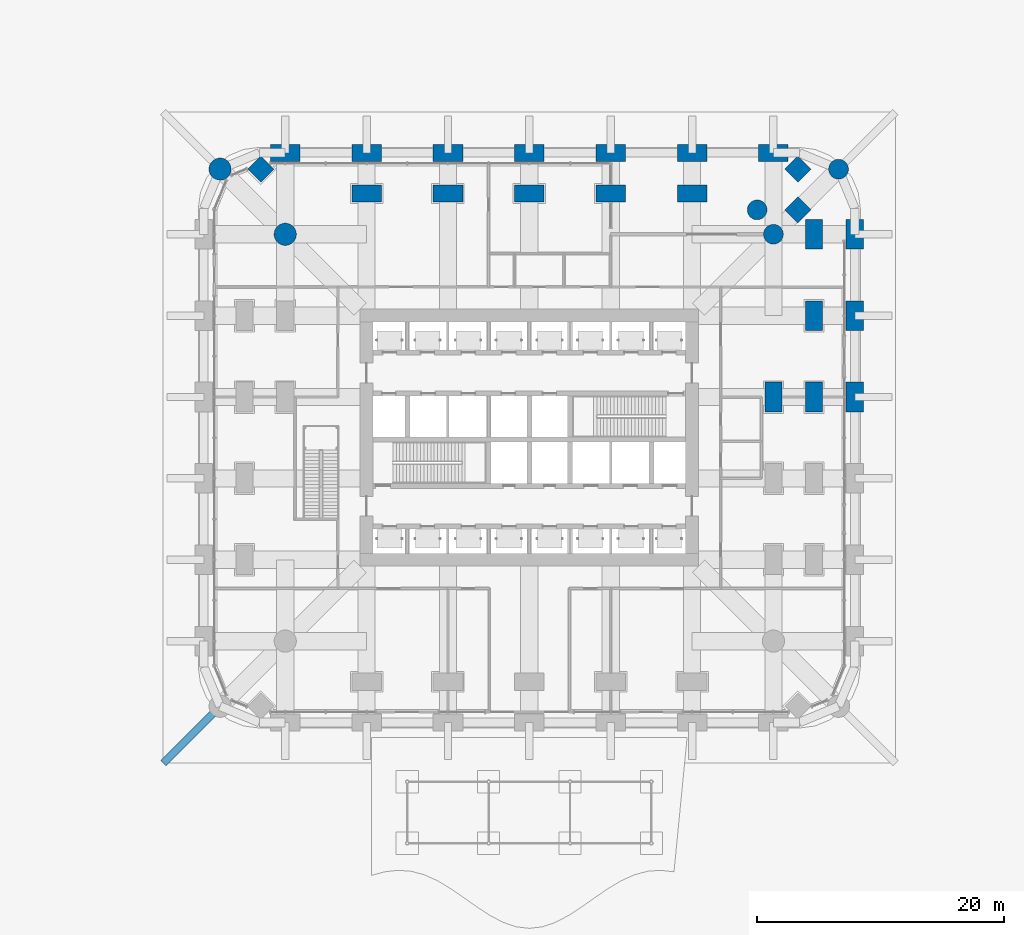
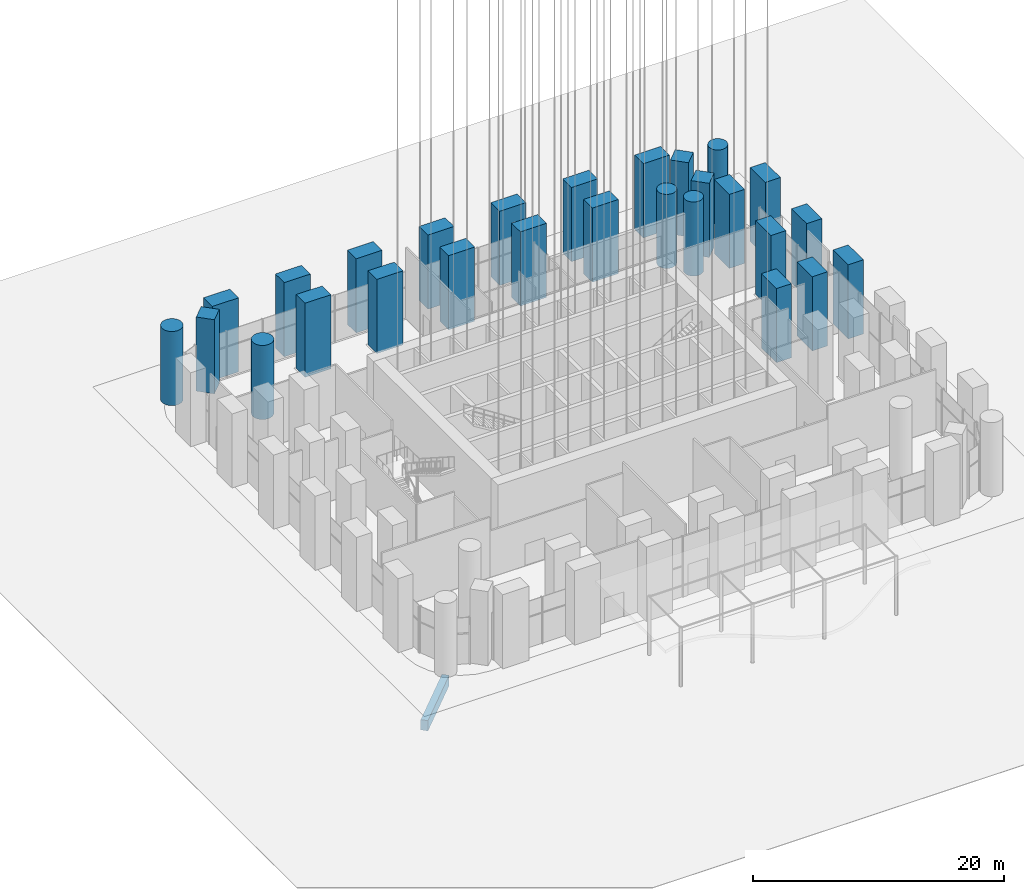
# One storey, part 7 of 32: 27 columns, 1 beam.
"""IFC4 building model written with IfcOpenShell, lengths in metres."""

from ifc_helpers import new_model, si_unit, direction, frame, origin, origin_2d, place, context, subcontext, project, spatial, rectangle, circle, extrude, material, material_profile, profile_set, type_object, element, save


model = new_model("IFC4")

# Units and contexts
model_context = context("Model", 3, precision=1e-05, world=origin(), true_north=direction((0.0, 1.0)))
body_context = subcontext(model_context, "Body", "Model", "MODEL_VIEW")
ifc_project = project(units=[si_unit("LENGTHUNIT", "METRE"), si_unit("AREAUNIT", "SQUARE_METRE"), si_unit("VOLUMEUNIT", "CUBIC_METRE"), si_unit("PLANEANGLEUNIT", "RADIAN"), si_unit("MASSUNIT", "GRAM", prefix="KILO")], contexts=[model_context])

# Site, building, storey
site_placement = place(None, origin())
site = spatial("IfcSite", under=ifc_project, at=site_placement, CompositionType="ELEMENT")
building_placement = place(site_placement, origin())
building = spatial("IfcBuilding", under=site, at=building_placement, Name="Cobogo Forest Laboratory Tower", CompositionType="ELEMENT")
storey_placement = place(building_placement, origin())
storey = spatial("IfcBuildingStorey", under=building, at=storey_placement, Name="L00", CompositionType="ELEMENT", Elevation=0.0)

# Columns
ifc_material_1 = material(Name="Concrete HA-50 (C50/60)", Category="concrete")
ifc_material_profile_1 = material_profile(ifc_material_1, rectangle(XDim=2.39990234375, YDim=1.39990234375, at=origin_2d()), Name="RC 1400x2400")
ifc_profile_set_1 = profile_set([ifc_material_profile_1], Name="Concrete HA-50 (C50/60)")
column_type_1 = type_object("IfcColumnType", Name="Blade column 1400x2400", PredefinedType="COLUMN", material=ifc_profile_set_1)
for number, where, z_axis, x_axis, name in (
    (1, (52.800048828125, 26.39990234375, 0.0), (0.0, 0.0, 1.0), (0.0, 1.0, 0.0), "Column 9-E L00"),
    (2, (52.800048828125, 33.0, 0.0), (0.0, 0.0, 1.0), (0.0, 1.0, 0.0), "Column 9-F L00"),
    (3, (52.800048828125, 39.60009765625, 0.0), (0.0, 0.0, 1.0), (0.0, 1.0, 0.0), "Column 9-G L00"),
    (4, (6.60009765625, 46.199951171875, 0.0), (0.0, 0.0, 1.0), (1.0, 0.0, 0.0), "Column 2-H L00"),
    (5, (13.199951171875, 46.199951171875, 0.0), (0.0, 0.0, 1.0), (1.0, 0.0, 0.0), "Column 3-H L00"),
    (6, (19.800048828125, 46.199951171875, 0.0), (0.0, 0.0, 1.0), (1.0, 0.0, 0.0), "Column 4-H L00"),
    (7, (26.39990234375, 46.199951171875, 0.0), (0.0, 0.0, 1.0), (1.0, 0.0, 0.0), "Column 5-H L00"),
    (8, (33.0, 46.199951171875, 0.0), (0.0, 0.0, 1.0), (1.0, 0.0, 0.0), "Column 6-H L00"),
    (9, (39.60009765625, 46.199951171875, 0.0), (0.0, 0.0, 1.0), (1.0, 0.0, 0.0), "Column 7-H L00"),
    (10, (46.199951171875, 46.199951171875, 0.0), (0.0, 0.0, 1.0), (1.0, 0.0, 0.0), "Column 8-H L00"),
    (11, (49.5, 26.39990234375, 0.0), (0.0, 0.0, 1.0), (0.0, 1.0, 0.0), "Column 8.1-E-B L00"),
    (12, (49.5, 33.0, 0.0), (0.0, 0.0, 1.0), (0.0, 1.0, 0.0), "Column 8.1-F-B L00"),
    (13, (49.5, 39.60009765625, 0.0), (0.0, 0.0, 1.0), (0.0, 1.0, 0.0), "Column 8.1-G-B L00"),
    (14, (13.199951171875, 42.89990234375, 0.0), (0.0, 0.0, 1.0), (1.0, 0.0, 0.0), "Column 3-G.1-C L00"),
    (15, (19.800048828125, 42.89990234375, 0.0), (0.0, 0.0, 1.0), (1.0, 0.0, 0.0), "Column 4-G.1-C L00"),
    (16, (26.39990234375, 42.89990234375, 0.0), (0.0, 0.0, 1.0), (1.0, 0.0, 0.0), "Column 5-G.1-C L00"),
    (17, (33.0, 42.89990234375, 0.0), (0.0, 0.0, 1.0), (1.0, 0.0, 0.0), "Column 6-G.1-C L00"),
    (18, (39.60009765625, 42.89990234375, 0.0), (0.0, 0.0, 1.0), (1.0, 0.0, 0.0), "Column 7-G.1-C L00"),
    (19, (46.199951171875, 26.39990234375, 0.0), (0.0, 0.0, 1.0), (0.0, 1.0, 0.0), "Column 8-E-D L00"),
):
    element("IfcColumn", number, at=place(storey_placement, frame(where, z_axis=z_axis, x_axis=x_axis)), inside=storey, type_object=column_type_1, Name=name, PredefinedType="COLUMN", context=body_context, shape_type="SweptSolid", body=[
        extrude(rectangle(XDim=2.39990234375, YDim=1.39990234375, at=origin_2d()), origin(), (0.0, 0.0, 1.0), 7.199951171875),
    ])
ifc_material_profile_2 = material_profile(ifc_material_1, rectangle(XDim=1.5, YDim=1.5, at=origin_2d()), Name="RC 1500x1500")
ifc_profile_set_2 = profile_set([ifc_material_profile_2], Name="Concrete HA-50 (C50/60)")
column_type_2 = type_object("IfcColumnType", Name="Column 1500x1500", PredefinedType="COLUMN", material=ifc_profile_set_2)
for number, where, z_axis, x_axis, name in (
    (20, (4.617919921875, 44.882080078125, 0.0), (0.0, 0.0, 1.0), (0.707106781187, 0.707106781187, 0.0), "Column CNR-NW-B L00"),
    (21, (48.181884765625, 44.882080078125, 0.0), (0.0, 0.0, 1.0), (0.707106781187, 0.707106781187, 0.0), "Column CNR-NE-B L00"),
    (22, (48.181884765625, 41.58203125, 0.0), (0.0, 0.0, 1.0), (0.707106781187, 0.707106781187, 0.0), "Column CNR-NE-C L00"),
):
    element("IfcColumn", number, at=place(storey_placement, frame(where, z_axis=z_axis, x_axis=x_axis)), inside=storey, type_object=column_type_2, Name=name, PredefinedType="COLUMN", context=body_context, shape_type="SweptSolid", body=[
        extrude(rectangle(XDim=1.5, YDim=1.5, at=origin_2d()), origin(), (0.0, 0.0, 1.0), 7.199951171875),
    ])
ifc_material_profile_3 = material_profile(ifc_material_1, circle(Radius=0.800048828125, at=origin_2d()), Name="RC D1600")
ifc_profile_set_3 = profile_set([ifc_material_profile_3], Name="Concrete HA-50 (C50/60)")
column_type_3 = type_object("IfcColumnType", Name="Pilotis column D1600", PredefinedType="COLUMN", material=ifc_profile_set_3)
for number, where, z_axis, x_axis, name in (
    (23, (51.48193359375, 44.882080078125, 0.0), (0.0, 0.0, 1.0), (1.0, 0.0, 0.0), "Column CNR-NE L00"),
    (24, (46.199951171875, 39.60009765625, 0.0), (0.0, 0.0, 1.0), (1.0, 0.0, 0.0), "Column 8-G L00"),
    (25, (44.882080078125, 41.58203125, 0.0), (0.0, 0.0, 1.0), (1.0, 0.0, 0.0), "Column CNR-NE-D L00"),
):
    element("IfcColumn", number, at=place(storey_placement, frame(where, z_axis=z_axis, x_axis=x_axis)), inside=storey, type_object=column_type_3, Name=name, PredefinedType="COLUMN", context=body_context, shape_type="SweptSolid", body=[
        extrude(circle(Radius=0.800048828125, at=origin_2d()), origin(), (0.0, 0.0, 1.0), 7.199951171875),
    ])
ifc_material_profile_4 = material_profile(ifc_material_1, circle(Radius=0.89990234375, at=origin_2d()), Name="RC D1800")
ifc_profile_set_4 = profile_set([ifc_material_profile_4], Name="Concrete HA-50 (C50/60)")
column_type_4 = type_object("IfcColumnType", Name="Pilotis column D1800", PredefinedType="COLUMN", material=ifc_profile_set_4)
for number, where, z_axis, x_axis, name in (
    (26, (1.318115234375, 44.882080078125, 0.0), (0.0, 0.0, 1.0), (1.0, 0.0, 0.0), "Column CNR-NW L00"),
    (27, (6.60009765625, 39.60009765625, 0.0), (0.0, 0.0, 1.0), (1.0, 0.0, 0.0), "Column 2-G L00"),
):
    element("IfcColumn", number, at=place(storey_placement, frame(where, z_axis=z_axis, x_axis=x_axis)), inside=storey, type_object=column_type_4, Name=name, PredefinedType="COLUMN", context=body_context, shape_type="SweptSolid", body=[
        extrude(circle(Radius=0.89990234375, at=origin_2d()), origin(), (0.0, 0.0, 1.0), 7.199951171875),
    ])

# Beam
ifc_material_2 = material(Name="Concrete HA-40 (C40/50)", Category="concrete")
ifc_material_profile_5 = material_profile(ifc_material_2, rectangle(XDim=0.60009765625, YDim=1.0, at=origin_2d()), Name="RC 600x1000")
ifc_profile_set_5 = profile_set([ifc_material_profile_5], Name="Concrete HA-40 (C40/50)")
beam_type = type_object("IfcBeamType", Name="Plaza deck beam 600x1000", PredefinedType="BEAM", material=ifc_profile_set_5)
beam_placement = place(storey_placement, frame((1.318115234375, 1.318115234375, -0.85009765625), z_axis=(-0.707106781187, -0.707106781187, 0.0), x_axis=(0.707106781187, -0.707106781187, 0.0)))
element("IfcBeam", 28, at=beam_placement, inside=storey, type_object=beam_type, Name="RB3 P-CNR-SW L00", PredefinedType="BEAM", context=body_context, shape_type="SweptSolid", body=[
    extrude(rectangle(XDim=0.60009765625, YDim=1.0, at=origin_2d()), origin(), (0.0, 0.0, 1.0), 6.531005859375),
])

save(model, "model.ifc")
